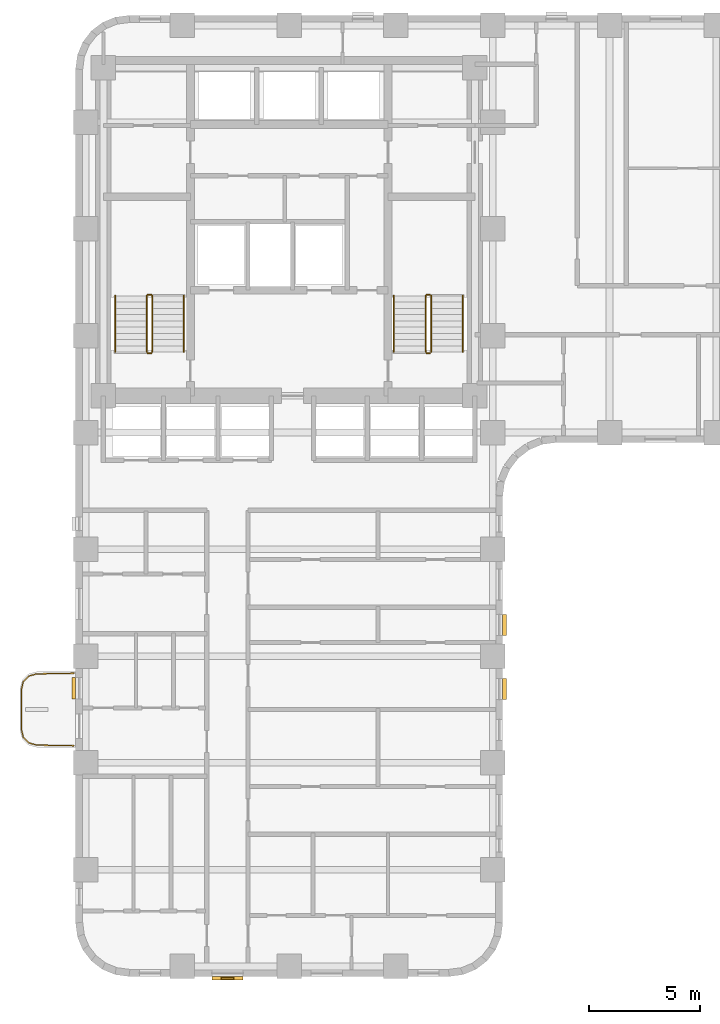
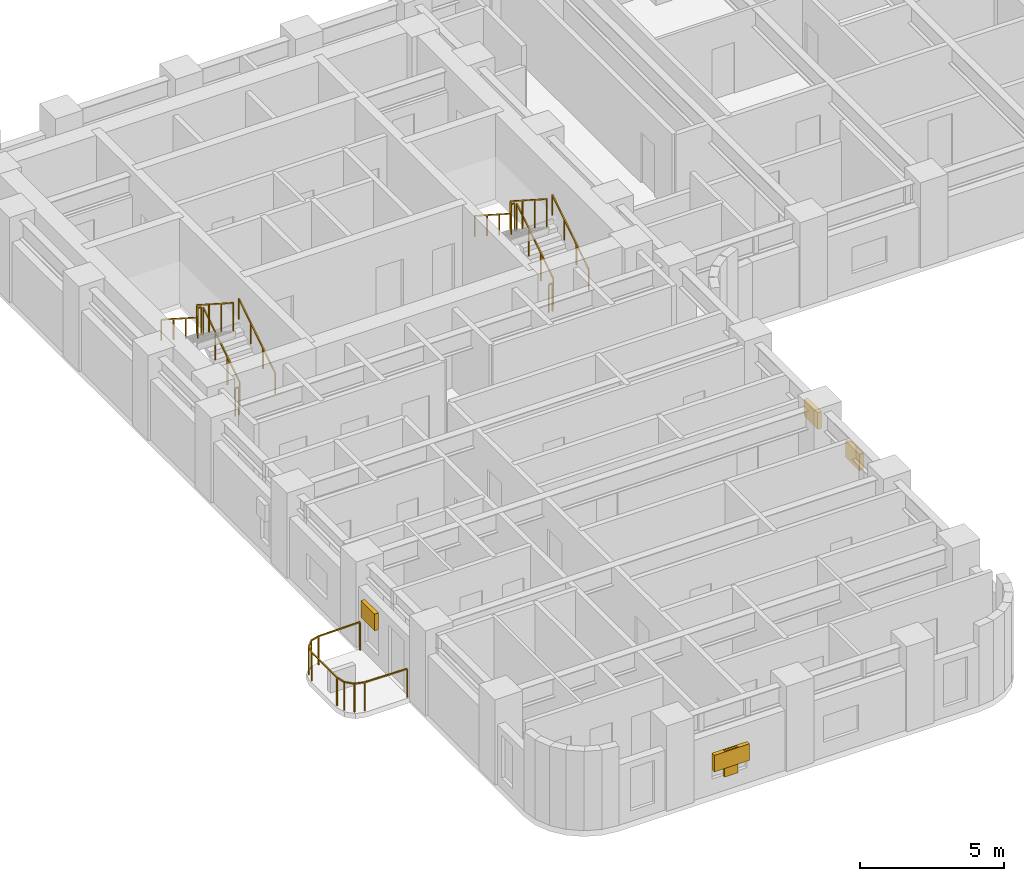
# One storey, part 9 of 12: 13 railings, 5 shading devices.
"""IFC4 building model written with IfcOpenShell, lengths in metres."""

from ifc_helpers import new_model, si_unit, direction, frame, origin, origin_2d, place, context, subcontext, project, spatial, rectangle, extrude, material, type_object, element, save


model = new_model("IFC4")

# Units and contexts
model_context = context("Model", 3, precision=1e-05, world=origin(), true_north=direction((0.0, 1.0)))
body_context = subcontext(model_context, "Body", "Model", "MODEL_VIEW")
ifc_project = project(units=[si_unit("LENGTHUNIT", "METRE"), si_unit("AREAUNIT", "SQUARE_METRE"), si_unit("VOLUMEUNIT", "CUBIC_METRE"), si_unit("PLANEANGLEUNIT", "RADIAN"), si_unit("MASSUNIT", "GRAM", prefix="KILO")], contexts=[model_context])

# Site, building, storey
site_placement = place(None, origin())
site = spatial("IfcSite", under=ifc_project, at=site_placement, CompositionType="ELEMENT")
building_placement = place(site_placement, origin())
building = spatial("IfcBuilding", under=site, at=building_placement, Name="Orvandelia Arch Residences", CompositionType="ELEMENT")
storey_placement = place(building_placement, frame((0.0, 0.0, 39.39990234375)))
storey = spatial("IfcBuildingStorey", under=building, at=storey_placement, Name="L09", CompositionType="ELEMENT", Elevation=39.39990234375)

# Railings
ifc_material_1 = material(Name="Marine-Grade Stainless Steel 316", Category="steel")
railing_type_1 = type_object("IfcRailingType", Name="GRD-BAL-1200", PredefinedType="BALUSTRADE", material=ifc_material_1)
railing_1_placement = place(storey_placement, frame((4.728271484375, 18.430419921875, 0.0)))
element("IfcRailing", 1, at=railing_1_placement, inside=storey, type_object=railing_type_1, Name="Safety Balustrade Guard GRD-L09-BAL-L09-W1-1", PredefinedType="BALUSTRADE", context=body_context, shape_type="SweptSolid", body=[
    extrude(rectangle(XDim=0.048095703125, YDim=0.048095703125, at=origin_2d()), frame((0.0, 0.0, 1.19580078125), z_axis=(-0.999834751713, -0.018178813668, 0.0), x_axis=(0.018178813668, -0.999834751713, 0.0)), (0.0, 0.0, 1.0), 1.6787109375),
    extrude(rectangle(XDim=0.048095703125, YDim=0.048095703125, at=origin_2d()), frame((-1.678466796875, -0.030517578125, 1.19580078125), z_axis=(-0.96348920644, -0.267747173792, 0.0), x_axis=(0.267747173792, -0.96348920644, 0.0)), (0.0, 0.0, 1.0), 0.36572265625),
    extrude(rectangle(XDim=0.048095703125, YDim=0.048095703125, at=origin_2d()), frame((-2.03076171875, -0.12841796875, 1.19580078125), z_axis=(-0.688627404251, -0.725115368831, 0.0), x_axis=(0.725115368831, -0.688627404251, 0.0)), (0.0, 0.0, 1.0), 0.367919921875),
    extrude(rectangle(XDim=0.048095703125, YDim=0.048095703125, at=origin_2d()), frame((-2.2841796875, -0.395263671875, 1.19580078125), z_axis=(-0.220602419982, -0.975363815352, 0.0), x_axis=(0.975363815352, -0.220602419982, 0.0)), (0.0, 0.0, 1.0), 0.373046875),
    extrude(rectangle(XDim=0.048095703125, YDim=0.048095703125, at=origin_2d()), frame((-2.366455078125, -0.759033203125, 1.19580078125), z_axis=(0.0, -1.0, 0.0), x_axis=(1.0, 0.0, 0.0)), (0.0, 0.0, 1.0), 1.74267578125),
    extrude(rectangle(XDim=0.048095703125, YDim=0.048095703125, at=origin_2d()), frame((-2.366455078125, -2.501708984375, 1.19580078125), z_axis=(0.220602419982, -0.975363815352, 0.0), x_axis=(0.975363815352, 0.220602419982, 0.0)), (0.0, 0.0, 1.0), 0.373046875),
    extrude(rectangle(XDim=0.048095703125, YDim=0.048095703125, at=origin_2d()), frame((-2.2841796875, -2.865478515625, 1.19580078125), z_axis=(0.688296224633, -0.725429739642, 0.0), x_axis=(0.725429739642, 0.688296224633, 0.0)), (0.0, 0.0, 1.0), 0.3681640625),
    extrude(rectangle(XDim=0.048095703125, YDim=0.048095703125, at=origin_2d()), frame((-2.03076171875, -3.132568359375, 1.19580078125), z_axis=(0.96348920644, -0.267747173792, 0.0), x_axis=(0.267747173792, 0.96348920644, 0.0)), (0.0, 0.0, 1.0), 0.36572265625),
    extrude(rectangle(XDim=0.048095703125, YDim=0.048095703125, at=origin_2d()), frame((-1.678466796875, -3.23046875, 1.19580078125), z_axis=(0.999837384468, -0.018033430643, 0.0), x_axis=(0.018033430643, 0.999837384468, 0.0)), (0.0, 0.0, 1.0), 1.6787109375),
    extrude(rectangle(XDim=0.0419921875, YDim=0.0419921875, at=origin_2d()), origin(), (0.0, 0.0, 1.0), 1.171875),
    extrude(rectangle(XDim=0.0419921875, YDim=0.0419921875, at=origin_2d()), frame((-1.678466796875, -0.030517578125, 0.0)), (0.0, 0.0, 1.0), 1.171875),
    extrude(rectangle(XDim=0.0419921875, YDim=0.0419921875, at=origin_2d()), frame((-2.03076171875, -0.12841796875, 0.0)), (0.0, 0.0, 1.0), 1.171875),
    extrude(rectangle(XDim=0.0419921875, YDim=0.0419921875, at=origin_2d()), frame((-2.2841796875, -0.395263671875, 0.0)), (0.0, 0.0, 1.0), 1.171875),
    extrude(rectangle(XDim=0.0419921875, YDim=0.0419921875, at=origin_2d()), frame((-2.366455078125, -0.759033203125, 0.0)), (0.0, 0.0, 1.0), 1.171875),
    extrude(rectangle(XDim=0.0419921875, YDim=0.0419921875, at=origin_2d()), frame((-2.366455078125, -2.501708984375, 0.0)), (0.0, 0.0, 1.0), 1.171875),
    extrude(rectangle(XDim=0.0419921875, YDim=0.0419921875, at=origin_2d()), frame((-2.2841796875, -2.865478515625, 0.0)), (0.0, 0.0, 1.0), 1.171875),
    extrude(rectangle(XDim=0.0419921875, YDim=0.0419921875, at=origin_2d()), frame((-2.03076171875, -3.132568359375, 0.0)), (0.0, 0.0, 1.0), 1.171875),
    extrude(rectangle(XDim=0.0419921875, YDim=0.0419921875, at=origin_2d()), frame((-1.678466796875, -3.23046875, 0.0)), (0.0, 0.0, 1.0), 1.171875),
    extrude(rectangle(XDim=0.0419921875, YDim=0.0419921875, at=origin_2d()), frame((0.0, -3.2607421875, 0.0)), (0.0, 0.0, 1.0), 1.171875),
])
ifc_material_2 = material(Name="Brushed Stainless Steel 304", Category="steel")
railing_type_2 = type_object("IfcRailingType", Name="RL-STAIR-GD1120", PredefinedType="GUARDRAIL", material=ifc_material_2)
railing_2_placement = place(storey_placement, frame((8.25, 32.8701171875, 0.18017578125)))
element("IfcRailing", 2, at=railing_2_placement, inside=storey, type_object=railing_type_2, Name="L09 ST-1 stair guard 1", PredefinedType="GUARDRAIL", context=body_context, shape_type="SweptSolid", body=[
    extrude(rectangle(XDim=0.048095703125, YDim=0.048095703125, at=origin_2d()), frame((0.0, 0.0, 1.17578125), z_axis=(0.0, 0.841175827307, 0.540761710511), x_axis=(-1.0, 0.0, 0.0)), (0.0, 0.0, 1.0), 2.99560546875),
    extrude(rectangle(XDim=0.0419921875, YDim=0.0419921875, at=origin_2d()), origin(), (0.0, 0.0, 1.0), 1.15185546875),
    extrude(rectangle(XDim=0.0419921875, YDim=0.0419921875, at=origin_2d()), frame((0.0, 0.83984375, 0.5400390625)), (0.0, 0.0, 1.0), 1.15185546875),
    extrude(rectangle(XDim=0.0419921875, YDim=0.0419921875, at=origin_2d()), frame((0.0, 1.679931640625, 1.079833984375)), (0.0, 0.0, 1.0), 1.15185546875),
    extrude(rectangle(XDim=0.0419921875, YDim=0.0419921875, at=origin_2d()), frame((0.0, 2.519775390625, 1.619873046875)), (0.0, 0.0, 1.0), 1.15185546875),
])
railing_3_placement = place(storey_placement, frame((8.199951171875, 35.43994140625, 1.800048828125)))
element("IfcRailing", 3, at=railing_3_placement, inside=storey, type_object=railing_type_2, Name="L09 ST-1 stair guard 2", PredefinedType="GUARDRAIL", context=body_context, shape_type="SweptSolid", body=[
    extrude(rectangle(XDim=0.048095703125, YDim=0.048095703125, at=origin_2d()), frame((0.0, 0.0, 1.17578125), z_axis=(-1.0, 0.0, 0.0), x_axis=(0.0, -1.0, 0.0)), (0.0, 0.0, 1.0), 0.14990234375),
    extrude(rectangle(XDim=0.0419921875, YDim=0.0419921875, at=origin_2d()), origin(), (0.0, 0.0, 1.0), 1.15185546875),
    extrude(rectangle(XDim=0.0419921875, YDim=0.0419921875, at=origin_2d()), frame((-0.14990234375, 0.0, 0.0)), (0.0, 0.0, 1.0), 1.15185546875),
])
railing_4_placement = place(storey_placement, frame((8.0, 35.389892578125, 1.97998046875)))
element("IfcRailing", 4, at=railing_4_placement, inside=storey, type_object=railing_type_2, Name="L09 ST-1 stair guard 3", PredefinedType="GUARDRAIL", context=body_context, shape_type="SweptSolid", body=[
    extrude(rectangle(XDim=0.048095703125, YDim=0.048095703125, at=origin_2d()), frame((0.0, 0.0, 1.17578125), z_axis=(0.0, -0.841138753965, 0.540819375188), x_axis=(1.0, 0.0, 0.0)), (0.0, 0.0, 1.0), 2.99560546875),
    extrude(rectangle(XDim=0.0419921875, YDim=0.0419921875, at=origin_2d()), origin(), (0.0, 0.0, 1.0), 1.15185546875),
    extrude(rectangle(XDim=0.0419921875, YDim=0.0419921875, at=origin_2d()), frame((0.0, -0.83984375, 0.5400390625)), (0.0, 0.0, 1.0), 1.15185546875),
    extrude(rectangle(XDim=0.0419921875, YDim=0.0419921875, at=origin_2d()), frame((0.0, -1.679931640625, 1.080078125)), (0.0, 0.0, 1.0), 1.15185546875),
    extrude(rectangle(XDim=0.0419921875, YDim=0.0419921875, at=origin_2d()), frame((0.0, -2.519775390625, 1.6201171875)), (0.0, 0.0, 1.0), 1.15185546875),
])
railing_5_placement = place(storey_placement, frame((8.199951171875, 32.820068359375, 0.0)))
element("IfcRailing", 5, at=railing_5_placement, inside=storey, type_object=railing_type_2, Name="L09 ST-1 stair guard 4", PredefinedType="GUARDRAIL", context=body_context, shape_type="SweptSolid", body=[
    extrude(rectangle(XDim=0.048095703125, YDim=0.048095703125, at=origin_2d()), frame((0.0, 0.0, 1.17578125), z_axis=(-1.0, 0.0, 0.0), x_axis=(0.0, -1.0, 0.0)), (0.0, 0.0, 1.0), 0.14990234375),
    extrude(rectangle(XDim=0.0419921875, YDim=0.0419921875, at=origin_2d()), origin(), (0.0, 0.0, 1.0), 1.15185546875),
    extrude(rectangle(XDim=0.0419921875, YDim=0.0419921875, at=origin_2d()), frame((-0.14990234375, 0.0, 0.0)), (0.0, 0.0, 1.0), 1.15185546875),
])
railing_6_placement = place(storey_placement, frame((20.780029296875, 32.8701171875, 0.18017578125)))
element("IfcRailing", 6, at=railing_6_placement, inside=storey, type_object=railing_type_2, Name="L09 ST-2 stair guard 1", PredefinedType="GUARDRAIL", context=body_context, shape_type="SweptSolid", body=[
    extrude(rectangle(XDim=0.048095703125, YDim=0.048095703125, at=origin_2d()), frame((0.0, 0.0, 1.17578125), z_axis=(0.0, 0.841175827307, 0.540761710511), x_axis=(-1.0, 0.0, 0.0)), (0.0, 0.0, 1.0), 2.99560546875),
    extrude(rectangle(XDim=0.0419921875, YDim=0.0419921875, at=origin_2d()), origin(), (0.0, 0.0, 1.0), 1.15185546875),
    extrude(rectangle(XDim=0.0419921875, YDim=0.0419921875, at=origin_2d()), frame((0.0, 0.83984375, 0.5400390625)), (0.0, 0.0, 1.0), 1.15185546875),
    extrude(rectangle(XDim=0.0419921875, YDim=0.0419921875, at=origin_2d()), frame((0.0, 1.679931640625, 1.079833984375)), (0.0, 0.0, 1.0), 1.15185546875),
    extrude(rectangle(XDim=0.0419921875, YDim=0.0419921875, at=origin_2d()), frame((0.0, 2.519775390625, 1.619873046875)), (0.0, 0.0, 1.0), 1.15185546875),
])
railing_7_placement = place(storey_placement, frame((20.72998046875, 35.43994140625, 1.800048828125)))
element("IfcRailing", 7, at=railing_7_placement, inside=storey, type_object=railing_type_2, Name="L09 ST-2 stair guard 2", PredefinedType="GUARDRAIL", context=body_context, shape_type="SweptSolid", body=[
    extrude(rectangle(XDim=0.048095703125, YDim=0.048095703125, at=origin_2d()), frame((0.0, 0.0, 1.17578125), z_axis=(-1.0, 0.0, 0.0), x_axis=(0.0, -1.0, 0.0)), (0.0, 0.0, 1.0), 0.14990234375),
    extrude(rectangle(XDim=0.0419921875, YDim=0.0419921875, at=origin_2d()), origin(), (0.0, 0.0, 1.0), 1.15185546875),
    extrude(rectangle(XDim=0.0419921875, YDim=0.0419921875, at=origin_2d()), frame((-0.14990234375, 0.0, 0.0)), (0.0, 0.0, 1.0), 1.15185546875),
])
railing_8_placement = place(storey_placement, frame((20.530029296875, 35.389892578125, 1.97998046875)))
element("IfcRailing", 8, at=railing_8_placement, inside=storey, type_object=railing_type_2, Name="L09 ST-2 stair guard 3", PredefinedType="GUARDRAIL", context=body_context, shape_type="SweptSolid", body=[
    extrude(rectangle(XDim=0.048095703125, YDim=0.048095703125, at=origin_2d()), frame((0.0, 0.0, 1.17578125), z_axis=(0.0, -0.841138753965, 0.540819375188), x_axis=(1.0, 0.0, 0.0)), (0.0, 0.0, 1.0), 2.99560546875),
    extrude(rectangle(XDim=0.0419921875, YDim=0.0419921875, at=origin_2d()), origin(), (0.0, 0.0, 1.0), 1.15185546875),
    extrude(rectangle(XDim=0.0419921875, YDim=0.0419921875, at=origin_2d()), frame((0.0, -0.83984375, 0.5400390625)), (0.0, 0.0, 1.0), 1.15185546875),
    extrude(rectangle(XDim=0.0419921875, YDim=0.0419921875, at=origin_2d()), frame((0.0, -1.679931640625, 1.080078125)), (0.0, 0.0, 1.0), 1.15185546875),
    extrude(rectangle(XDim=0.0419921875, YDim=0.0419921875, at=origin_2d()), frame((0.0, -2.519775390625, 1.6201171875)), (0.0, 0.0, 1.0), 1.15185546875),
])
railing_9_placement = place(storey_placement, frame((20.72998046875, 32.820068359375, 0.0)))
element("IfcRailing", 9, at=railing_9_placement, inside=storey, type_object=railing_type_2, Name="L09 ST-2 stair guard 4", PredefinedType="GUARDRAIL", context=body_context, shape_type="SweptSolid", body=[
    extrude(rectangle(XDim=0.048095703125, YDim=0.048095703125, at=origin_2d()), frame((0.0, 0.0, 1.17578125), z_axis=(-1.0, 0.0, 0.0), x_axis=(0.0, -1.0, 0.0)), (0.0, 0.0, 1.0), 0.14990234375),
    extrude(rectangle(XDim=0.0419921875, YDim=0.0419921875, at=origin_2d()), origin(), (0.0, 0.0, 1.0), 1.15185546875),
    extrude(rectangle(XDim=0.0419921875, YDim=0.0419921875, at=origin_2d()), frame((-0.14990234375, 0.0, 0.0)), (0.0, 0.0, 1.0), 1.15185546875),
])
railing_type_3 = type_object("IfcRailingType", Name="RL-STAIR-HR920", PredefinedType="HANDRAIL", material=ifc_material_2)
railing_10_placement = place(storey_placement, frame((9.669921875, 32.8701171875, 0.360107421875)))
element("IfcRailing", 10, at=railing_10_placement, inside=storey, type_object=railing_type_3, Name="L09 ST-1 stair handrail 1", PredefinedType="HANDRAIL", context=body_context, shape_type="SweptSolid", body=[
    extrude(rectangle(XDim=0.048095703125, YDim=0.048095703125, at=origin_2d()), frame((0.0, 0.0, 0.8759765625), z_axis=(0.0, 0.841175827307, 0.540761710511), x_axis=(-1.0, 0.0, 0.0)), (0.0, 0.0, 1.0), 2.99560546875),
    extrude(rectangle(XDim=0.0419921875, YDim=0.0419921875, at=origin_2d()), origin(), (0.0, 0.0, 1.0), 0.851806640625),
    extrude(rectangle(XDim=0.0419921875, YDim=0.0419921875, at=origin_2d()), frame((0.0, 0.83984375, 0.5400390625)), (0.0, 0.0, 1.0), 0.851806640625),
    extrude(rectangle(XDim=0.0419921875, YDim=0.0419921875, at=origin_2d()), frame((0.0, 1.679931640625, 1.079833984375)), (0.0, 0.0, 1.0), 0.851806640625),
    extrude(rectangle(XDim=0.0419921875, YDim=0.0419921875, at=origin_2d()), frame((0.0, 2.519775390625, 1.619873046875)), (0.0, 0.0, 1.0), 0.851806640625),
])
railing_11_placement = place(storey_placement, frame((6.580078125, 35.389892578125, 2.16015625)))
element("IfcRailing", 11, at=railing_11_placement, inside=storey, type_object=railing_type_3, Name="L09 ST-1 stair handrail 2", PredefinedType="HANDRAIL", context=body_context, shape_type="SweptSolid", body=[
    extrude(rectangle(XDim=0.048095703125, YDim=0.048095703125, at=origin_2d()), frame((0.0, 0.0, 0.8759765625), z_axis=(0.0, -0.841175827307, 0.540761710511), x_axis=(1.0, 0.0, 0.0)), (0.0, 0.0, 1.0), 2.99560546875),
    extrude(rectangle(XDim=0.0419921875, YDim=0.0419921875, at=origin_2d()), origin(), (0.0, 0.0, 1.0), 0.851806640625),
    extrude(rectangle(XDim=0.0419921875, YDim=0.0419921875, at=origin_2d()), frame((0.0, -0.83984375, 0.5400390625)), (0.0, 0.0, 1.0), 0.851806640625),
    extrude(rectangle(XDim=0.0419921875, YDim=0.0419921875, at=origin_2d()), frame((0.0, -1.679931640625, 1.079833984375)), (0.0, 0.0, 1.0), 0.851806640625),
    extrude(rectangle(XDim=0.0419921875, YDim=0.0419921875, at=origin_2d()), frame((0.0, -2.519775390625, 1.619873046875)), (0.0, 0.0, 1.0), 0.851806640625),
])
railing_12_placement = place(storey_placement, frame((22.199951171875, 32.8701171875, 0.360107421875)))
element("IfcRailing", 12, at=railing_12_placement, inside=storey, type_object=railing_type_3, Name="L09 ST-2 stair handrail 1", PredefinedType="HANDRAIL", context=body_context, shape_type="SweptSolid", body=[
    extrude(rectangle(XDim=0.048095703125, YDim=0.048095703125, at=origin_2d()), frame((0.0, 0.0, 0.8759765625), z_axis=(0.0, 0.841175827307, 0.540761710511), x_axis=(-1.0, 0.0, 0.0)), (0.0, 0.0, 1.0), 2.99560546875),
    extrude(rectangle(XDim=0.0419921875, YDim=0.0419921875, at=origin_2d()), origin(), (0.0, 0.0, 1.0), 0.851806640625),
    extrude(rectangle(XDim=0.0419921875, YDim=0.0419921875, at=origin_2d()), frame((0.0, 0.83984375, 0.5400390625)), (0.0, 0.0, 1.0), 0.851806640625),
    extrude(rectangle(XDim=0.0419921875, YDim=0.0419921875, at=origin_2d()), frame((0.0, 1.679931640625, 1.079833984375)), (0.0, 0.0, 1.0), 0.851806640625),
    extrude(rectangle(XDim=0.0419921875, YDim=0.0419921875, at=origin_2d()), frame((0.0, 2.519775390625, 1.619873046875)), (0.0, 0.0, 1.0), 0.851806640625),
])
railing_13_placement = place(storey_placement, frame((19.110107421875, 35.389892578125, 2.16015625)))
element("IfcRailing", 13, at=railing_13_placement, inside=storey, type_object=railing_type_3, Name="L09 ST-2 stair handrail 2", PredefinedType="HANDRAIL", context=body_context, shape_type="SweptSolid", body=[
    extrude(rectangle(XDim=0.048095703125, YDim=0.048095703125, at=origin_2d()), frame((0.0, 0.0, 0.8759765625), z_axis=(0.0, -0.841175827307, 0.540761710511), x_axis=(1.0, 0.0, 0.0)), (0.0, 0.0, 1.0), 2.99560546875),
    extrude(rectangle(XDim=0.0419921875, YDim=0.0419921875, at=origin_2d()), origin(), (0.0, 0.0, 1.0), 0.851806640625),
    extrude(rectangle(XDim=0.0419921875, YDim=0.0419921875, at=origin_2d()), frame((0.0, -0.83984375, 0.5400390625)), (0.0, 0.0, 1.0), 0.851806640625),
    extrude(rectangle(XDim=0.0419921875, YDim=0.0419921875, at=origin_2d()), frame((0.0, -1.679931640625, 1.079833984375)), (0.0, 0.0, 1.0), 0.851806640625),
    extrude(rectangle(XDim=0.0419921875, YDim=0.0419921875, at=origin_2d()), frame((0.0, -2.519775390625, 1.619873046875)), (0.0, 0.0, 1.0), 0.851806640625),
])

# Shading devices
ifc_material_3 = material(Name="Anodised Champagne-Bronze Extruded Aluminium", Category="aluminium")
shading_device_type_1 = type_object("IfcShadingDeviceType", Name="SHD-JALOUSIE-SCREEN", PredefinedType="JALOUSIE", material=ifc_material_3)
for number, where, z_axis, x_axis, name in (
    (14, (24.080078125, 17.715087890625, 1.55029296875), (0.0, 0.0, 1.0), (0.0, -1.0, 0.0), "Bronze Jalousie Sun-Shade L09-007"),
    (15, (24.080078125, 20.60498046875, 1.55029296875), (0.0, 0.0, 1.0), (0.0, -1.0, 0.0), "Bronze Jalousie Sun-Shade L09-008"),
):
    element("IfcShadingDevice", number, at=place(storey_placement, frame(where, z_axis=z_axis, x_axis=x_axis)), inside=storey, type_object=shading_device_type_1, Name=name, PredefinedType="JALOUSIE", context=body_context, shape_type="SweptSolid", body=[
        extrude(rectangle(XDim=0.949951171875, YDim=0.159912109375, at=origin_2d()), origin(), (0.0, 0.0, 1.0), 0.699951171875),
    ])
shading_device_1_placement = place(storey_placement, frame((11.625, 4.719970703125, 1.05029296875), z_axis=(0.0, 0.0, 1.0), x_axis=(-1.0, 0.0, 0.0)))
element("IfcShadingDevice", 16, at=shading_device_1_placement, inside=storey, type_object=shading_device_type_1, Name="Bronze Jalousie Sun-Shade L09-009", PredefinedType="JALOUSIE", context=body_context, shape_type="SweptSolid", body=[
    extrude(rectangle(XDim=1.39990234375, YDim=0.159912109375, at=origin_2d()), origin(), (0.0, 0.0, 1.0), 0.699951171875),
])
shading_device_2_placement = place(storey_placement, frame((4.719970703125, 17.751953125, 1.55029296875), z_axis=(0.0, 0.0, 1.0), x_axis=(0.0, 1.0, 0.0)))
element("IfcShadingDevice", 17, at=shading_device_2_placement, inside=storey, type_object=shading_device_type_1, Name="Bronze Jalousie Sun-Shade L09-010", PredefinedType="JALOUSIE", context=body_context, shape_type="SweptSolid", body=[
    extrude(rectangle(XDim=0.949951171875, YDim=0.159912109375, at=origin_2d()), origin(), (0.0, 0.0, 1.0), 0.699951171875),
])
ifc_material_4 = material(Name="Marine-Grade Perforated Aluminium Storm Shutter", Category="aluminium")
shading_device_type_2 = type_object("IfcShadingDeviceType", Name="SHD-STORM-SHUTTER", PredefinedType="SHUTTER", material=ifc_material_4)
shading_device_3_placement = place(storey_placement, frame((11.625, 4.719970703125, 0.650146484375), z_axis=(0.0, 0.0, 1.0), x_axis=(-1.0, 0.0, 0.0)))
element("IfcShadingDevice", 18, at=shading_device_3_placement, inside=storey, type_object=shading_device_type_2, Name="Operable Typhoon Storm Shutter L09-009", PredefinedType="SHUTTER", context=body_context, shape_type="SweptSolid", body=[
    extrude(rectangle(XDim=0.550048828125, YDim=0.080078125, at=origin_2d()), origin(), (0.0, 0.0, 1.0), 1.10009765625),
])

save(model, "model.ifc")
